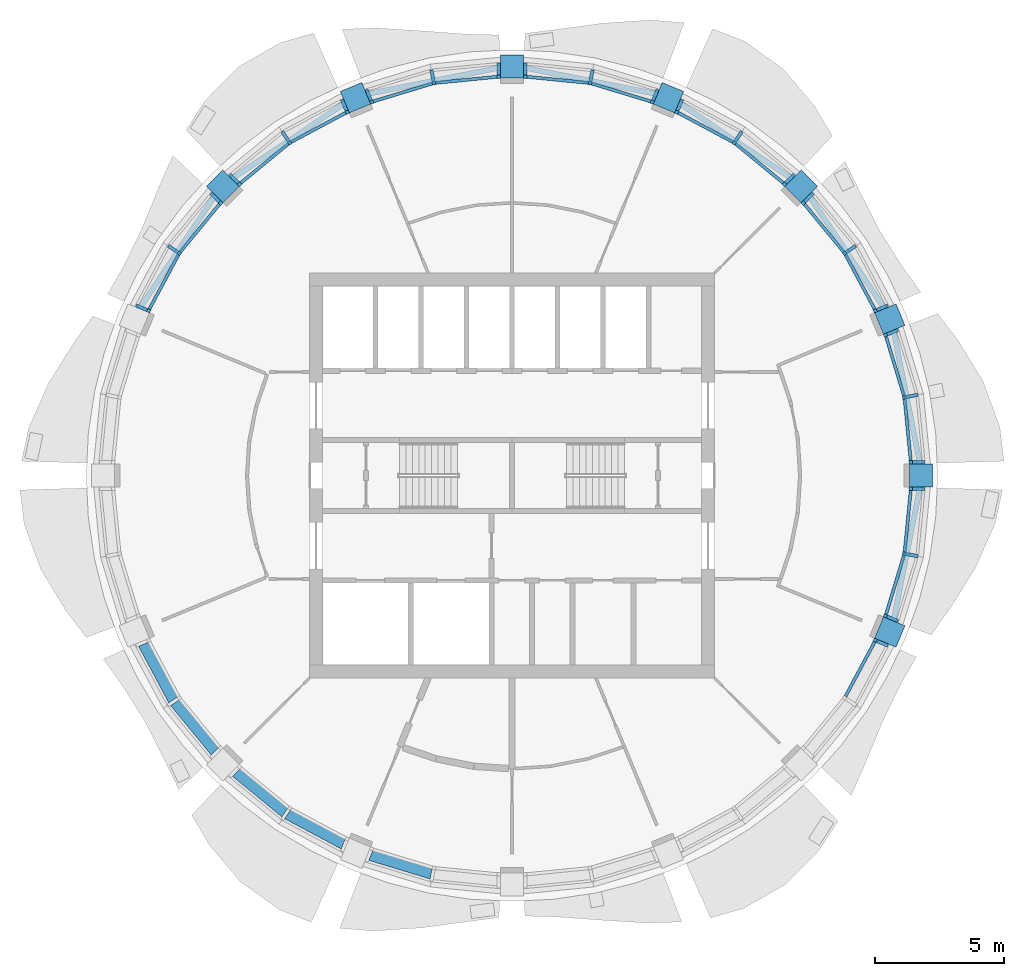
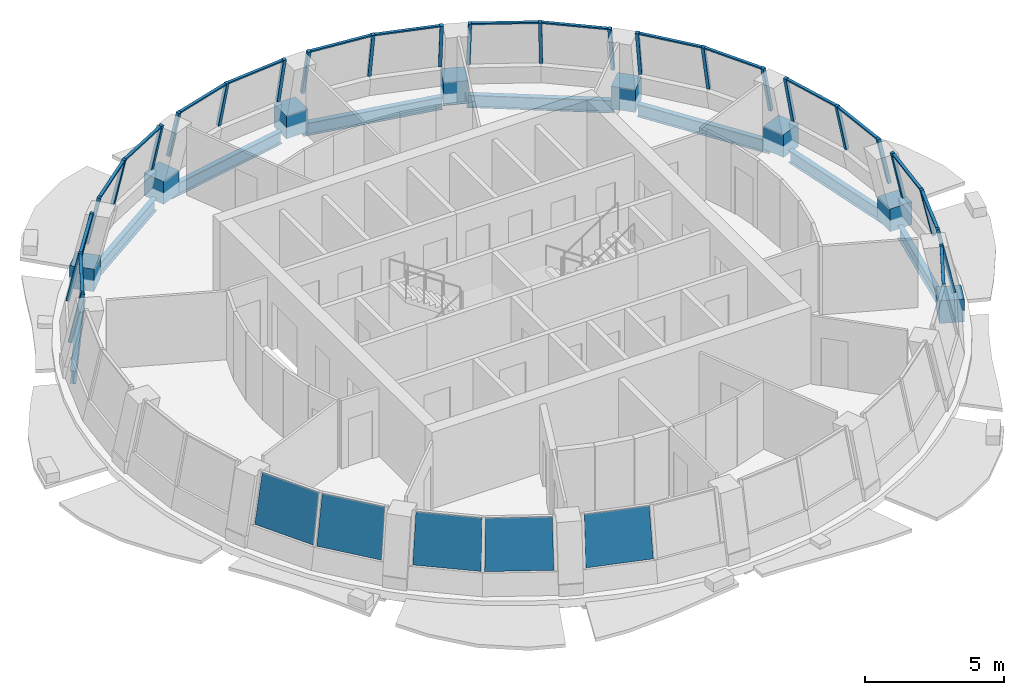
# One storey, part 2 of 11: 50 members, 8 beams, 5 plates, 12 elements without a shape of their own.
"""IFC4 building model written with IfcOpenShell, lengths in metres."""

from ifc_helpers import new_model, si_unit, direction, frame, origin, origin_2d, place, context, subcontext, project, spatial, polyline, rectangle, i_section, outline, extrude, material, layer, layer_set, material_profile, profile_set, type_object, element, aggregate, save


model = new_model("IFC4")

# Units and contexts
model_context = context("Model", 3, precision=1e-05, world=origin(), true_north=direction((0.0, 1.0)))
body_context = subcontext(model_context, "Body", "Model", "MODEL_VIEW")
ifc_project = project(units=[si_unit("LENGTHUNIT", "METRE"), si_unit("AREAUNIT", "SQUARE_METRE"), si_unit("VOLUMEUNIT", "CUBIC_METRE"), si_unit("PLANEANGLEUNIT", "RADIAN"), si_unit("MASSUNIT", "GRAM", prefix="KILO")], contexts=[model_context])

# Site, building, storey
site_placement = place(None, origin())
site = spatial("IfcSite", under=ifc_project, at=site_placement, CompositionType="ELEMENT")
building_placement = place(site_placement, origin())
building = spatial("IfcBuilding", under=site, at=building_placement, Name="Polderwave Tower", CompositionType="ELEMENT")
storey_placement = place(building_placement, frame((0.0, 0.0, 214.449951171875)))
storey = spatial("IfcBuildingStorey", under=building, at=storey_placement, Name="L58", CompositionType="ELEMENT", Elevation=214.449951171875)

# Curtain wall, members
ifc_material_1 = material(Name="Aluminium 6063-T6 and glass", Category="aluminium")
curtain_wall_type = type_object("IfcCurtainWallType", Name="Office ribbon glazing, leaning storey wall", PredefinedType="NOTDEFINED", material=ifc_material_1)
curtain_wall_1_placement = place(storey_placement, origin())
curtain_wall_1 = element("IfcCurtainWall", 1, at=curtain_wall_1_placement, inside=storey, type_object=curtain_wall_type, Name="CW9 L58 00", PredefinedType="NOTDEFINED")
ifc_material_2 = material(Name="Aluminium 6063-T6", Category="aluminium")
ifc_material_profile_1 = material_profile(ifc_material_2, rectangle(XDim=0.1298828125, YDim=0.139892578125, at=origin_2d()), Name="AL 130x140")
ifc_profile_set_1 = profile_set([ifc_material_profile_1], Name="Aluminium 6063-T6")
member_type_1 = type_object("IfcMemberType", Name="Office ribbon glazing, leaning storey mullion 130x140", PredefinedType="MULLION", material=ifc_profile_set_1)
member_1_placement = place(storey_placement, frame((15.9580078125, 0.5146484375, 0.900146484375), z_axis=(-0.213320842981, 0.0, 0.976982199403), x_axis=(0.0, -1.0, 0.0)))
member_1 = element("IfcMember", 2, at=member_1_placement, type_object=member_type_1, Name="CW9 mullion 1", PredefinedType="MULLION", context=body_context, shape_type="SweptSolid", body=[
    extrude(rectangle(XDim=0.1298828125, YDim=0.139892578125, at=origin_2d()), origin(), (0.0, 0.0, 1.0), 2.1494140625),
])
member_2_placement = place(storey_placement, frame((15.701171875, 3.12353515625, 0.900146484375), z_axis=(-0.20944780442, -0.041685110749, 0.976930892523), x_axis=(0.195195508177, -0.980764351711, 0.0)))
member_2 = element("IfcMember", 3, at=member_2_placement, type_object=member_type_1, Name="CW9 mullion 2", PredefinedType="MULLION", context=body_context, shape_type="SweptSolid", body=[
    extrude(rectangle(XDim=0.1298828125, YDim=0.139892578125, at=origin_2d()), origin(), (0.0, 0.0, 1.0), 2.1494140625),
])
member_3_placement = place(storey_placement, frame((14.9404296875, 5.631591796875, 0.900146484375), z_axis=(-0.197075349133, -0.081783430188, 0.97697122645), x_axis=(0.383291989612, -0.923627224967, 0.0)))
member_3 = element("IfcMember", 4, at=member_3_placement, type_object=member_type_1, Name="CW9 mullion 3", PredefinedType="MULLION", context=body_context, shape_type="SweptSolid", body=[
    extrude(rectangle(XDim=0.1298828125, YDim=0.139892578125, at=origin_2d()), origin(), (0.0, 0.0, 1.0), 2.1494140625),
])

curtain_wall_2_placement = place(storey_placement, origin())
curtain_wall_2 = element("IfcCurtainWall", 5, at=curtain_wall_2_placement, inside=storey, type_object=curtain_wall_type, Name="CW9 L58 01", PredefinedType="NOTDEFINED")
member_4_placement = place(storey_placement, frame((14.54638671875, 6.582275390625, 0.900146484375), z_axis=(-0.197299174068, -0.08144128256, 0.976954632215), x_axis=(0.381552612163, -0.924347123191, 0.0)))
member_4 = element("IfcMember", 6, at=member_4_placement, type_object=member_type_1, Name="CW9 mullion 1", PredefinedType="MULLION", context=body_context, shape_type="SweptSolid", body=[
    extrude(rectangle(XDim=0.1298828125, YDim=0.139892578125, at=origin_2d()), origin(), (0.0, 0.0, 1.0), 2.1494140625),
])
member_5_placement = place(storey_placement, frame((13.310546875, 8.893798828125, 0.900146484375), z_axis=(-0.177533294592, -0.118582699651, 0.976944252583), x_axis=(0.555436632186, -0.831558866002, 0.0)))
member_5 = element("IfcMember", 7, at=member_5_placement, type_object=member_type_1, Name="CW9 mullion 2", PredefinedType="MULLION", context=body_context, shape_type="SweptSolid", body=[
    extrude(rectangle(XDim=0.1298828125, YDim=0.139892578125, at=origin_2d()), origin(), (0.0, 0.0, 1.0), 2.1494140625),
])
member_6_placement = place(storey_placement, frame((11.64794921875, 10.919921875, 0.900146484375), z_axis=(-0.151068408866, -0.150841238326, 0.976946905754), x_axis=(0.706574521886, -0.707638640142, 0.0)))
member_6 = element("IfcMember", 8, at=member_6_placement, type_object=member_type_1, Name="CW9 mullion 3", PredefinedType="MULLION", context=body_context, shape_type="SweptSolid", body=[
    extrude(rectangle(XDim=0.1298828125, YDim=0.139892578125, at=origin_2d()), origin(), (0.0, 0.0, 1.0), 2.1494140625),
])

curtain_wall_3_placement = place(storey_placement, origin())
curtain_wall_3 = element("IfcCurtainWall", 9, at=curtain_wall_3_placement, inside=storey, type_object=curtain_wall_type, Name="CW9 L58 02", PredefinedType="NOTDEFINED")
member_7_placement = place(storey_placement, frame((10.919921875, 11.64794921875, 0.900146484375), z_axis=(-0.150841238326, -0.151068408866, 0.976946905754), x_axis=(0.707638640142, -0.706574521886, 0.0)))
member_7 = element("IfcMember", 10, at=member_7_placement, type_object=member_type_1, Name="CW9 mullion 1", PredefinedType="MULLION", context=body_context, shape_type="SweptSolid", body=[
    extrude(rectangle(XDim=0.1298828125, YDim=0.139892578125, at=origin_2d()), origin(), (0.0, 0.0, 1.0), 2.1494140625),
])
member_8_placement = place(storey_placement, frame((8.893798828125, 13.310546875, 0.900146484375), z_axis=(-0.118582699651, -0.177533294592, 0.976944252583), x_axis=(0.831558866002, -0.555436632186, 0.0)))
member_8 = element("IfcMember", 11, at=member_8_placement, type_object=member_type_1, Name="CW9 mullion 2", PredefinedType="MULLION", context=body_context, shape_type="SweptSolid", body=[
    extrude(rectangle(XDim=0.1298828125, YDim=0.139892578125, at=origin_2d()), origin(), (0.0, 0.0, 1.0), 2.1494140625),
])
member_9_placement = place(storey_placement, frame((6.582275390625, 14.54638671875, 0.900146484375), z_axis=(-0.08144128256, -0.197299174068, 0.976954632215), x_axis=(0.924347123191, -0.381552612163, 0.0)))
member_9 = element("IfcMember", 12, at=member_9_placement, type_object=member_type_1, Name="CW9 mullion 3", PredefinedType="MULLION", context=body_context, shape_type="SweptSolid", body=[
    extrude(rectangle(XDim=0.1298828125, YDim=0.139892578125, at=origin_2d()), origin(), (0.0, 0.0, 1.0), 2.1494140625),
])

curtain_wall_4_placement = place(storey_placement, origin())
curtain_wall_4 = element("IfcCurtainWall", 13, at=curtain_wall_4_placement, inside=storey, type_object=curtain_wall_type, Name="CW9 L58 03", PredefinedType="NOTDEFINED")
member_10_placement = place(storey_placement, frame((5.631591796875, 14.9404296875, 0.900146484375), z_axis=(-0.081783430188, -0.197075349133, 0.97697122645), x_axis=(0.923627224967, -0.383291989612, 0.0)))
member_10 = element("IfcMember", 14, at=member_10_placement, type_object=member_type_1, Name="CW9 mullion 1", PredefinedType="MULLION", context=body_context, shape_type="SweptSolid", body=[
    extrude(rectangle(XDim=0.1298828125, YDim=0.139892578125, at=origin_2d()), origin(), (0.0, 0.0, 1.0), 2.1494140625),
])
member_11_placement = place(storey_placement, frame((3.12353515625, 15.701171875, 0.900146484375), z_axis=(-0.041685110749, -0.20944780442, 0.976930892523), x_axis=(0.980764351711, -0.195195508177, 0.0)))
member_11 = element("IfcMember", 15, at=member_11_placement, type_object=member_type_1, Name="CW9 mullion 2", PredefinedType="MULLION", context=body_context, shape_type="SweptSolid", body=[
    extrude(rectangle(XDim=0.1298828125, YDim=0.139892578125, at=origin_2d()), origin(), (0.0, 0.0, 1.0), 2.1494140625),
])
member_12_placement = place(storey_placement, frame((0.5146484375, 15.9580078125, 0.900146484375), z_axis=(0.0, -0.213320842981, 0.976982199403), x_axis=(1.0, 0.0, 0.0)))
member_12 = element("IfcMember", 16, at=member_12_placement, type_object=member_type_1, Name="CW9 mullion 3", PredefinedType="MULLION", context=body_context, shape_type="SweptSolid", body=[
    extrude(rectangle(XDim=0.1298828125, YDim=0.139892578125, at=origin_2d()), origin(), (0.0, 0.0, 1.0), 2.1494140625),
])

curtain_wall_5_placement = place(storey_placement, origin())
curtain_wall_5 = element("IfcCurtainWall", 17, at=curtain_wall_5_placement, inside=storey, type_object=curtain_wall_type, Name="CW9 L58 04", PredefinedType="NOTDEFINED")
member_13_placement = place(storey_placement, frame((-0.5146484375, 15.9580078125, 0.900146484375), z_axis=(0.0, -0.213320842981, 0.976982199403), x_axis=(1.0, 0.0, 0.0)))
member_13 = element("IfcMember", 18, at=member_13_placement, type_object=member_type_1, Name="CW9 mullion 1", PredefinedType="MULLION", context=body_context, shape_type="SweptSolid", body=[
    extrude(rectangle(XDim=0.1298828125, YDim=0.139892578125, at=origin_2d()), origin(), (0.0, 0.0, 1.0), 2.1494140625),
])
member_14_placement = place(storey_placement, frame((-3.12353515625, 15.701171875, 0.900146484375), z_axis=(0.041685110749, -0.20944780442, 0.976930892523), x_axis=(0.980764351711, 0.195195508177, 0.0)))
member_14 = element("IfcMember", 19, at=member_14_placement, type_object=member_type_1, Name="CW9 mullion 2", PredefinedType="MULLION", context=body_context, shape_type="SweptSolid", body=[
    extrude(rectangle(XDim=0.1298828125, YDim=0.139892578125, at=origin_2d()), origin(), (0.0, 0.0, 1.0), 2.1494140625),
])
member_15_placement = place(storey_placement, frame((-5.631591796875, 14.9404296875, 0.900146484375), z_axis=(0.081783430188, -0.197075349133, 0.97697122645), x_axis=(0.923627224967, 0.383291989612, 0.0)))
member_15 = element("IfcMember", 20, at=member_15_placement, type_object=member_type_1, Name="CW9 mullion 3", PredefinedType="MULLION", context=body_context, shape_type="SweptSolid", body=[
    extrude(rectangle(XDim=0.1298828125, YDim=0.139892578125, at=origin_2d()), origin(), (0.0, 0.0, 1.0), 2.1494140625),
])

curtain_wall_6_placement = place(storey_placement, origin())
curtain_wall_6 = element("IfcCurtainWall", 21, at=curtain_wall_6_placement, inside=storey, type_object=curtain_wall_type, Name="CW9 L58 05", PredefinedType="NOTDEFINED")
member_16_placement = place(storey_placement, frame((-6.582275390625, 14.54638671875, 0.900146484375), z_axis=(0.08144128256, -0.197299174068, 0.976954632215), x_axis=(0.924347123191, 0.381552612163, 0.0)))
member_16 = element("IfcMember", 22, at=member_16_placement, type_object=member_type_1, Name="CW9 mullion 1", PredefinedType="MULLION", context=body_context, shape_type="SweptSolid", body=[
    extrude(rectangle(XDim=0.1298828125, YDim=0.139892578125, at=origin_2d()), origin(), (0.0, 0.0, 1.0), 2.1494140625),
])
member_17_placement = place(storey_placement, frame((-8.893798828125, 13.310546875, 0.900146484375), z_axis=(0.118582699651, -0.177533294592, 0.976944252583), x_axis=(0.831558866002, 0.555436632186, 0.0)))
member_17 = element("IfcMember", 23, at=member_17_placement, type_object=member_type_1, Name="CW9 mullion 2", PredefinedType="MULLION", context=body_context, shape_type="SweptSolid", body=[
    extrude(rectangle(XDim=0.1298828125, YDim=0.139892578125, at=origin_2d()), origin(), (0.0, 0.0, 1.0), 2.1494140625),
])
member_18_placement = place(storey_placement, frame((-10.919921875, 11.64794921875, 0.900146484375), z_axis=(0.150841238326, -0.151068408866, 0.976946905754), x_axis=(0.707638640142, 0.706574521886, 0.0)))
member_18 = element("IfcMember", 24, at=member_18_placement, type_object=member_type_1, Name="CW9 mullion 3", PredefinedType="MULLION", context=body_context, shape_type="SweptSolid", body=[
    extrude(rectangle(XDim=0.1298828125, YDim=0.139892578125, at=origin_2d()), origin(), (0.0, 0.0, 1.0), 2.1494140625),
])

curtain_wall_7_placement = place(storey_placement, origin())
curtain_wall_7 = element("IfcCurtainWall", 25, at=curtain_wall_7_placement, inside=storey, type_object=curtain_wall_type, Name="CW9 L58 06", PredefinedType="NOTDEFINED")
member_19_placement = place(storey_placement, frame((-11.64794921875, 10.919921875, 0.900146484375), z_axis=(0.151068408866, -0.150841238326, 0.976946905754), x_axis=(0.706574521886, 0.707638640142, 0.0)))
member_19 = element("IfcMember", 26, at=member_19_placement, type_object=member_type_1, Name="CW9 mullion 1", PredefinedType="MULLION", context=body_context, shape_type="SweptSolid", body=[
    extrude(rectangle(XDim=0.1298828125, YDim=0.139892578125, at=origin_2d()), origin(), (0.0, 0.0, 1.0), 2.1494140625),
])
member_20_placement = place(storey_placement, frame((-13.310546875, 8.893798828125, 0.900146484375), z_axis=(0.177533294592, -0.118582699651, 0.976944252583), x_axis=(0.555436632186, 0.831558866002, 0.0)))
member_20 = element("IfcMember", 27, at=member_20_placement, type_object=member_type_1, Name="CW9 mullion 2", PredefinedType="MULLION", context=body_context, shape_type="SweptSolid", body=[
    extrude(rectangle(XDim=0.1298828125, YDim=0.139892578125, at=origin_2d()), origin(), (0.0, 0.0, 1.0), 2.1494140625),
])
member_21_placement = place(storey_placement, frame((-14.54638671875, 6.582275390625, 0.900146484375), z_axis=(0.197299174068, -0.08144128256, 0.976954632215), x_axis=(0.381552612163, 0.924347123191, 0.0)))
member_21 = element("IfcMember", 28, at=member_21_placement, type_object=member_type_1, Name="CW9 mullion 3", PredefinedType="MULLION", context=body_context, shape_type="SweptSolid", body=[
    extrude(rectangle(XDim=0.1298828125, YDim=0.139892578125, at=origin_2d()), origin(), (0.0, 0.0, 1.0), 2.1494140625),
])

# Curtain wall, member
curtain_wall_8_placement = place(storey_placement, origin())
curtain_wall_8 = element("IfcCurtainWall", 29, at=curtain_wall_8_placement, inside=storey, type_object=curtain_wall_type, Name="CW9 L58 14", PredefinedType="NOTDEFINED")
member_22_placement = place(storey_placement, frame((14.54638671875, -6.582275390625, 0.900146484375), z_axis=(-0.197299174068, 0.08144128256, 0.976954632215), x_axis=(-0.381552612163, -0.924347123191, 0.0)))
member_22 = element("IfcMember", 30, at=member_22_placement, type_object=member_type_1, Name="CW9 mullion 3", PredefinedType="MULLION", context=body_context, shape_type="SweptSolid", body=[
    extrude(rectangle(XDim=0.1298828125, YDim=0.139892578125, at=origin_2d()), origin(), (0.0, 0.0, 1.0), 2.1494140625),
])

# Curtain wall, members
curtain_wall_9_placement = place(storey_placement, origin())
curtain_wall_9 = element("IfcCurtainWall", 31, at=curtain_wall_9_placement, inside=storey, type_object=curtain_wall_type, Name="CW9 L58 15", PredefinedType="NOTDEFINED")
member_23_placement = place(storey_placement, frame((14.9404296875, -5.631591796875, 0.900146484375), z_axis=(-0.197075349133, 0.081783430188, 0.97697122645), x_axis=(-0.383291989612, -0.923627224967, 0.0)))
member_23 = element("IfcMember", 32, at=member_23_placement, type_object=member_type_1, Name="CW9 mullion 1", PredefinedType="MULLION", context=body_context, shape_type="SweptSolid", body=[
    extrude(rectangle(XDim=0.1298828125, YDim=0.139892578125, at=origin_2d()), origin(), (0.0, 0.0, 1.0), 2.1494140625),
])
member_24_placement = place(storey_placement, frame((15.701171875, -3.12353515625, 0.900146484375), z_axis=(-0.20944780442, 0.041685110749, 0.976930892523), x_axis=(-0.195195508177, -0.980764351711, 0.0)))
member_24 = element("IfcMember", 33, at=member_24_placement, type_object=member_type_1, Name="CW9 mullion 2", PredefinedType="MULLION", context=body_context, shape_type="SweptSolid", body=[
    extrude(rectangle(XDim=0.1298828125, YDim=0.139892578125, at=origin_2d()), origin(), (0.0, 0.0, 1.0), 2.1494140625),
])
member_25_placement = place(storey_placement, frame((15.9580078125, -0.5146484375, 0.900146484375), z_axis=(-0.213320842981, 0.0, 0.976982199403), x_axis=(0.0, -1.0, 0.0)))
member_25 = element("IfcMember", 34, at=member_25_placement, type_object=member_type_1, Name="CW9 mullion 3", PredefinedType="MULLION", context=body_context, shape_type="SweptSolid", body=[
    extrude(rectangle(XDim=0.1298828125, YDim=0.139892578125, at=origin_2d()), origin(), (0.0, 0.0, 1.0), 2.1494140625),
])

# Member
ifc_material_profile_2 = material_profile(ifc_material_2, rectangle(XDim=0.1201171875, YDim=0.06005859375, at=origin_2d()), Name="AL 60x120")
ifc_profile_set_2 = profile_set([ifc_material_profile_2], Name="Aluminium 6063-T6")
member_type_2 = type_object("IfcMemberType", Name="Office ribbon glazing, leaning storey transom 60x120", PredefinedType="USERDEFINED", material=ifc_profile_set_2)
member_26_placement = place(storey_placement, frame((15.499755859375, 0.579345703125, 2.969970703125), z_axis=(-0.098145606459, 0.995172065491, 0.0), x_axis=(-0.995172065491, -0.098145606459, 0.0)))
member_26 = element("IfcMember", 35, at=member_26_placement, type_object=member_type_2, Name="CW9 transom 1", ObjectType="TRANSOM", PredefinedType="USERDEFINED", context=body_context, shape_type="SweptSolid", body=[
    extrude(rectangle(XDim=0.1201171875, YDim=0.06005859375, at=origin_2d()), origin(), (0.0, 0.0, 1.0), 2.403076171875),
])

member_27_placement = place(storey_placement, frame((15.238525390625, 3.097412109375, 2.969970703125), z_axis=(-0.290097669998, 0.95699704381, 0.0), x_axis=(-0.95699704381, -0.290097669998, 0.0)))
member_27 = element("IfcMember", 36, at=member_27_placement, type_object=member_type_2, Name="CW9 transom 2", ObjectType="TRANSOM", PredefinedType="USERDEFINED", context=body_context, shape_type="SweptSolid", body=[
    extrude(rectangle(XDim=0.1201171875, YDim=0.06005859375, at=origin_2d()), origin(), (0.0, 0.0, 1.0), 2.40185546875),
])

aggregate(curtain_wall_1, [member_1, member_2, member_3, member_26, member_27])

member_28_placement = place(storey_placement, frame((14.097900390625, 6.467041015625, 2.969970703125), z_axis=(-0.471600789368, 0.881812165638, 0.0), x_axis=(-0.881812165638, -0.471600789368, 0.0)))
member_28 = element("IfcMember", 37, at=member_28_placement, type_object=member_type_2, Name="CW9 transom 1", ObjectType="TRANSOM", PredefinedType="USERDEFINED", context=body_context, shape_type="SweptSolid", body=[
    extrude(rectangle(XDim=0.1201171875, YDim=0.06005859375, at=origin_2d()), origin(), (0.0, 0.0, 1.0), 2.402099609375),
])

member_29_placement = place(storey_placement, frame((12.893310546875, 8.69287109375, 2.969970703125), z_axis=(-0.634399139982, 0.77300564758, 0.0), x_axis=(-0.77300564758, -0.634399139982, 0.0)))
member_29 = element("IfcMember", 38, at=member_29_placement, type_object=member_type_2, Name="CW9 transom 2", ObjectType="TRANSOM", PredefinedType="USERDEFINED", context=body_context, shape_type="SweptSolid", body=[
    extrude(rectangle(XDim=0.1201171875, YDim=0.06005859375, at=origin_2d()), origin(), (0.0, 0.0, 1.0), 2.402587890625),
])

aggregate(curtain_wall_2, [member_4, member_5, member_6, member_28, member_29])

member_30_placement = place(storey_placement, frame((10.550048828125, 11.369140625, 2.969970703125), z_axis=(-0.77300564758, 0.634399139982, 0.0), x_axis=(-0.634399139982, -0.77300564758, 0.0)))
member_30 = element("IfcMember", 39, at=member_30_placement, type_object=member_type_2, Name="CW9 transom 1", ObjectType="TRANSOM", PredefinedType="USERDEFINED", context=body_context, shape_type="SweptSolid", body=[
    extrude(rectangle(XDim=0.1201171875, YDim=0.06005859375, at=origin_2d()), origin(), (0.0, 0.0, 1.0), 2.402587890625),
])

member_31_placement = place(storey_placement, frame((8.585205078125, 12.965087890625, 2.969970703125), z_axis=(-0.881812165638, 0.471600789368, 0.0), x_axis=(-0.471600789368, -0.881812165638, 0.0)))
member_31 = element("IfcMember", 40, at=member_31_placement, type_object=member_type_2, Name="CW9 transom 2", ObjectType="TRANSOM", PredefinedType="USERDEFINED", context=body_context, shape_type="SweptSolid", body=[
    extrude(rectangle(XDim=0.1201171875, YDim=0.06005859375, at=origin_2d()), origin(), (0.0, 0.0, 1.0), 2.402099609375),
])

aggregate(curtain_wall_3, [member_7, member_8, member_9, member_30, member_31])

member_32_placement = place(storey_placement, frame((5.39599609375, 14.541748046875, 2.969970703125), z_axis=(-0.95699704381, 0.290097669998, 0.0), x_axis=(-0.290097669998, -0.95699704381, 0.0)))
member_32 = element("IfcMember", 41, at=member_32_placement, type_object=member_type_2, Name="CW9 transom 1", ObjectType="TRANSOM", PredefinedType="USERDEFINED", context=body_context, shape_type="SweptSolid", body=[
    extrude(rectangle(XDim=0.1201171875, YDim=0.06005859375, at=origin_2d()), origin(), (0.0, 0.0, 1.0), 2.40185546875),
])

member_33_placement = place(storey_placement, frame((2.970703125, 15.263916015625, 2.969970703125), z_axis=(-0.995172065491, 0.098145606459, 0.0), x_axis=(-0.098145606459, -0.995172065491, 0.0)))
member_33 = element("IfcMember", 42, at=member_33_placement, type_object=member_type_2, Name="CW9 transom 2", ObjectType="TRANSOM", PredefinedType="USERDEFINED", context=body_context, shape_type="SweptSolid", body=[
    extrude(rectangle(XDim=0.1201171875, YDim=0.06005859375, at=origin_2d()), origin(), (0.0, 0.0, 1.0), 2.403076171875),
])

aggregate(curtain_wall_4, [member_10, member_11, member_12, member_32, member_33])

member_34_placement = place(storey_placement, frame((-0.579345703125, 15.499755859375, 2.969970703125), z_axis=(-0.995172065491, -0.098145606459, 0.0), x_axis=(0.098145606459, -0.995172065491, 0.0)))
member_34 = element("IfcMember", 43, at=member_34_placement, type_object=member_type_2, Name="CW9 transom 1", ObjectType="TRANSOM", PredefinedType="USERDEFINED", context=body_context, shape_type="SweptSolid", body=[
    extrude(rectangle(XDim=0.1201171875, YDim=0.06005859375, at=origin_2d()), origin(), (0.0, 0.0, 1.0), 2.403076171875),
])

member_35_placement = place(storey_placement, frame((-3.097412109375, 15.238525390625, 2.969970703125), z_axis=(-0.95699704381, -0.290097669998, 0.0), x_axis=(0.290097669998, -0.95699704381, 0.0)))
member_35 = element("IfcMember", 44, at=member_35_placement, type_object=member_type_2, Name="CW9 transom 2", ObjectType="TRANSOM", PredefinedType="USERDEFINED", context=body_context, shape_type="SweptSolid", body=[
    extrude(rectangle(XDim=0.1201171875, YDim=0.06005859375, at=origin_2d()), origin(), (0.0, 0.0, 1.0), 2.40185546875),
])

aggregate(curtain_wall_5, [member_13, member_14, member_15, member_34, member_35])

member_36_placement = place(storey_placement, frame((-6.467041015625, 14.097900390625, 2.969970703125), z_axis=(-0.881812165638, -0.471600789368, 0.0), x_axis=(0.471600789368, -0.881812165638, 0.0)))
member_36 = element("IfcMember", 45, at=member_36_placement, type_object=member_type_2, Name="CW9 transom 1", ObjectType="TRANSOM", PredefinedType="USERDEFINED", context=body_context, shape_type="SweptSolid", body=[
    extrude(rectangle(XDim=0.1201171875, YDim=0.06005859375, at=origin_2d()), origin(), (0.0, 0.0, 1.0), 2.402099609375),
])

member_37_placement = place(storey_placement, frame((-8.69287109375, 12.893310546875, 2.969970703125), z_axis=(-0.77300564758, -0.634399139982, 0.0), x_axis=(0.634399139982, -0.77300564758, 0.0)))
member_37 = element("IfcMember", 46, at=member_37_placement, type_object=member_type_2, Name="CW9 transom 2", ObjectType="TRANSOM", PredefinedType="USERDEFINED", context=body_context, shape_type="SweptSolid", body=[
    extrude(rectangle(XDim=0.1201171875, YDim=0.06005859375, at=origin_2d()), origin(), (0.0, 0.0, 1.0), 2.402587890625),
])

aggregate(curtain_wall_6, [member_16, member_17, member_18, member_36, member_37])

member_38_placement = place(storey_placement, frame((-11.369140625, 10.550048828125, 2.969970703125), z_axis=(-0.634399139982, -0.77300564758, 0.0), x_axis=(0.77300564758, -0.634399139982, 0.0)))
member_38 = element("IfcMember", 47, at=member_38_placement, type_object=member_type_2, Name="CW9 transom 1", ObjectType="TRANSOM", PredefinedType="USERDEFINED", context=body_context, shape_type="SweptSolid", body=[
    extrude(rectangle(XDim=0.1201171875, YDim=0.06005859375, at=origin_2d()), origin(), (0.0, 0.0, 1.0), 2.402587890625),
])

member_39_placement = place(storey_placement, frame((-12.965087890625, 8.585205078125, 2.969970703125), z_axis=(-0.471600789368, -0.881812165638, 0.0), x_axis=(0.881812165638, -0.471600789368, 0.0)))
member_39 = element("IfcMember", 48, at=member_39_placement, type_object=member_type_2, Name="CW9 transom 2", ObjectType="TRANSOM", PredefinedType="USERDEFINED", context=body_context, shape_type="SweptSolid", body=[
    extrude(rectangle(XDim=0.1201171875, YDim=0.06005859375, at=origin_2d()), origin(), (0.0, 0.0, 1.0), 2.402099609375),
])

aggregate(curtain_wall_7, [member_19, member_20, member_21, member_38, member_39])

member_40_placement = place(storey_placement, frame((12.965087890625, -8.585205078125, 2.969970703125), z_axis=(0.471600789368, 0.881812165638, 0.0), x_axis=(-0.881812165638, 0.471600789368, 0.0)))
member_40 = element("IfcMember", 49, at=member_40_placement, type_object=member_type_2, Name="CW9 transom 2", ObjectType="TRANSOM", PredefinedType="USERDEFINED", context=body_context, shape_type="SweptSolid", body=[
    extrude(rectangle(XDim=0.1201171875, YDim=0.06005859375, at=origin_2d()), origin(), (0.0, 0.0, 1.0), 2.402099609375),
])

aggregate(curtain_wall_8, [member_22, member_40])

member_41_placement = place(storey_placement, frame((14.541748046875, -5.39599609375, 2.969970703125), z_axis=(0.290097669998, 0.95699704381, 0.0), x_axis=(-0.95699704381, 0.290097669998, 0.0)))
member_41 = element("IfcMember", 50, at=member_41_placement, type_object=member_type_2, Name="CW9 transom 1", ObjectType="TRANSOM", PredefinedType="USERDEFINED", context=body_context, shape_type="SweptSolid", body=[
    extrude(rectangle(XDim=0.1201171875, YDim=0.06005859375, at=origin_2d()), origin(), (0.0, 0.0, 1.0), 2.40185546875),
])

member_42_placement = place(storey_placement, frame((15.263916015625, -2.970703125, 2.969970703125), z_axis=(0.098145606459, 0.995172065491, 0.0), x_axis=(-0.995172065491, 0.098145606459, 0.0)))
member_42 = element("IfcMember", 51, at=member_42_placement, type_object=member_type_2, Name="CW9 transom 2", ObjectType="TRANSOM", PredefinedType="USERDEFINED", context=body_context, shape_type="SweptSolid", body=[
    extrude(rectangle(XDim=0.1201171875, YDim=0.06005859375, at=origin_2d()), origin(), (0.0, 0.0, 1.0), 2.403076171875),
])

aggregate(curtain_wall_9, [member_23, member_24, member_25, member_41, member_42])

# Members
ifc_material_3 = material(Name="Concrete C60/75", Category="concrete")
ifc_material_profile_3 = material_profile(ifc_material_3, rectangle(XDim=0.89990234375, YDim=0.89990234375, at=origin_2d()), Name="RC 900x900")
ifc_profile_set_3 = profile_set([ifc_material_profile_3], Name="Concrete C60/75")
member_type_3 = type_object("IfcMemberType", Name="RC NODE 900x900 C60/75", PredefinedType="POST", material=ifc_profile_set_3)
for number, where, z_axis, x_axis, name in (
    (52, (15.89404296875, 0.0, -0.5), (0.0, 0.0, 1.0), (1.0, 0.0, 0.0), "Ring column node 01"),
    (53, (14.68408203125, 6.082275390625, -0.5), (0.0, 0.0, 1.0), (0.923879532511, 0.382683432365, 0.0), "Ring column node 02"),
    (54, (11.23876953125, 11.23876953125, -0.5), (0.0, 0.0, 1.0), (0.707106781187, 0.707106781187, 0.0), "Ring column node 03"),
    (55, (6.082275390625, 14.68408203125, -0.5), (0.0, 0.0, 1.0), (0.382683432365, 0.923879532511, 0.0), "Ring column node 04"),
    (56, (0.0, 15.89404296875, -0.5), (0.0, 0.0, 1.0), (0.0, 1.0, 0.0), "Ring column node 05"),
    (57, (-6.082275390625, 14.68408203125, -0.5), (0.0, 0.0, 1.0), (-0.382683432365, 0.923879532511, 0.0), "Ring column node 06"),
    (58, (-11.23876953125, 11.23876953125, -0.5), (0.0, 0.0, 1.0), (-0.707106781187, 0.707106781187, 0.0), "Ring column node 07"),
    (59, (14.68408203125, -6.082275390625, -0.5), (0.0, 0.0, 1.0), (0.923879532511, -0.382683432365, 0.0), "Ring column node 16"),
):
    element("IfcMember", number, at=place(storey_placement, frame(where, z_axis=z_axis, x_axis=x_axis)), inside=storey, type_object=member_type_3, Name=name, PredefinedType="POST", context=body_context, shape_type="SweptSolid", body=[
        extrude(rectangle(XDim=0.89990234375, YDim=0.89990234375, at=origin_2d()), origin(), (0.0, 0.0, 1.0), 1.0),
    ])

# Beams
ifc_material_4 = material(Name="Steel S355", Category="steel")
ifc_material_profile_4 = material_profile(ifc_material_4, i_section(OverallWidth=0.2099609375, OverallDepth=0.550048828125, WebThickness=0.010986328125, FlangeThickness=0.01708984375, at=origin_2d()), Name="IPE 550")
ifc_profile_set_4 = profile_set([ifc_material_profile_4], Name="Steel S355")
beam_type = type_object("IfcBeamType", Name="RING BEAM IPE 550", PredefinedType="BEAM", material=ifc_profile_set_4)
for number, where, z_axis, x_axis, name in (
    (60, (15.860595703125, 0.449951171875, -0.625), (-0.195098417144, 0.980783670147, 0.0), (-0.980783670147, -0.195098417144, 0.0), "ST-RB-L58-00"),
    (61, (14.48095703125, 6.4853515625, -0.625), (-0.555570615162, 0.831469356963, 0.0), (-0.831469356963, -0.555570615162, 0.0), "ST-RB-L58-01"),
    (62, (10.89697265625, 11.533203125, -0.625), (-0.831469356963, 0.555570615162, 0.0), (-0.555570615162, -0.831469356963, 0.0), "ST-RB-L58-02"),
    (63, (5.65380859375, 14.825439453125, -0.625), (-0.980783670147, 0.195098417144, 0.0), (-0.195098417144, -0.980783670147, 0.0), "ST-RB-L58-03"),
    (64, (-0.449951171875, 15.860595703125, -0.625), (-0.980783670147, -0.195098417144, 0.0), (0.195098417144, -0.980783670147, 0.0), "ST-RB-L58-04"),
    (65, (-6.4853515625, 14.48095703125, -0.625), (-0.831469356963, -0.555570615162, 0.0), (0.555570615162, -0.831469356963, 0.0), "ST-RB-L58-05"),
    (66, (-11.533203125, 10.89697265625, -0.625), (-0.555570615162, -0.831469356963, 0.0), (0.831469356963, -0.555570615162, 0.0), "ST-RB-L58-06"),
    (67, (14.825439453125, -5.65380859375, -0.625), (0.195098417144, 0.980783670147, 0.0), (-0.980783670147, 0.195098417144, 0.0), "ST-RB-L58-15"),
):
    element("IfcBeam", number, at=place(storey_placement, frame(where, z_axis=z_axis, x_axis=x_axis)), inside=storey, type_object=beam_type, Name=name, PredefinedType="BEAM", context=body_context, shape_type="SweptSolid", body=[
        extrude(i_section(OverallWidth=0.2099609375, OverallDepth=0.550048828125, WebThickness=0.010986328125, FlangeThickness=0.01708984375, at=origin_2d()), origin(), (0.0, 0.0, 1.0), 5.305908203125),
    ])

# Curtain wall, plates
curtain_wall_10_placement = place(storey_placement, origin())
curtain_wall_10 = element("IfcCurtainWall", 68, at=curtain_wall_10_placement, inside=storey, type_object=curtain_wall_type, Name="CW9 L58 09", PredefinedType="NOTDEFINED")
ifc_material_5 = material(Name="Glass, low-e laminated double glazing", Category="glass")
ifc_layer = layer(ifc_material_5, 0.031982421875)
ifc_layer_set = layer_set([ifc_layer], Name="Office ribbon glazing, leaning storey glass panel 32 mm")
plate_type = type_object("IfcPlateType", Name="Office ribbon glazing, leaning storey glass panel 32 mm", PredefinedType="CURTAIN_PANEL", material=ifc_layer_set)
plate_1_placement = place(storey_placement, frame((-14.515869140625, -6.6396484375, 0.900146484375), z_axis=(-0.861715716123, -0.460735218581, 0.212530193021), x_axis=(0.471507107609, -0.881862261056, 3.91872e-07)))
plate_1 = element("IfcPlate", 69, at=plate_1_placement, type_object=plate_type, Name="CW9 panel 1", PredefinedType="CURTAIN_PANEL", context=body_context, shape_type="SweptSolid", body=[
    extrude(outline(polyline([(0.0, 0.0), (2.4910686815636995, 0.0), (2.447830424751634, 2.087483568302252), (0.04425031146905788, 2.0874855312210934), (0.0, 0.0)])), origin(), (0.0, 0.0, -1.0), 0.031982421875),
])
plate_2_placement = place(storey_placement, frame((-13.269287109375, -8.944091796875, 0.900146484375), z_axis=(-0.755377380032, -0.619879308249, 0.212496251592), x_axis=(0.634366407972, -0.773032509291, -3.867736e-06)))
plate_2 = element("IfcPlate", 70, at=plate_2_placement, type_object=plate_type, Name="CW9 panel 2", PredefinedType="CURTAIN_PANEL", context=body_context, shape_type="SweptSolid", body=[
    extrude(outline(polyline([(0.0, 0.0), (2.490851267865727, -1.1102230246251565e-16), (2.4474814307514055, 2.087478468297899), (0.04372092967429351, 2.0874590947769227), (0.0, 0.0)])), origin(), (0.0, 0.0, -1.0), 0.031982421875),
])
aggregate(curtain_wall_10, [plate_1, plate_2])

curtain_wall_11_placement = place(storey_placement, origin())
curtain_wall_11 = element("IfcCurtainWall", 71, at=curtain_wall_11_placement, inside=storey, type_object=curtain_wall_type, Name="CW9 L58 10", PredefinedType="NOTDEFINED")
plate_3_placement = place(storey_placement, frame((-10.86962890625, -11.689208984375, 0.900146484375), z_axis=(-0.619879308249, -0.755377380032, 0.212496251592), x_axis=(0.773032509291, -0.634366407972, 3.867736e-06)))
plate_3 = element("IfcPlate", 72, at=plate_3_placement, type_object=plate_type, Name="CW9 panel 1", PredefinedType="CURTAIN_PANEL", context=body_context, shape_type="SweptSolid", body=[
    extrude(outline(polyline([(0.0, 0.0), (2.490851267865727, 1.1102230246251565e-16), (2.447130338191433, 2.087459094776923), (0.043369837114321484, 2.087478468297899), (0.0, 0.0)])), origin(), (0.0, 0.0, -1.0), 0.031982421875),
])
plate_4_placement = place(storey_placement, frame((-8.83642578125, -13.34130859375, 0.900146484375), z_axis=(-0.460702361178, -0.861745423786, 0.212480961476), x_axis=(0.881882064294, -0.47147006754, -9.524871e-06)))
plate_4 = element("IfcPlate", 73, at=plate_4_placement, type_object=plate_type, Name="CW9 panel 2", PredefinedType="CURTAIN_PANEL", context=body_context, shape_type="SweptSolid", body=[
    extrude(outline(polyline([(0.0, 0.0), (2.4910686790650898, 2.7755575615628914e-17), (2.4468183725488672, 2.0874855283444056), (0.0433533662861806, 2.087437819112489), (0.0, 0.0)])), origin(), (0.0, 0.0, -1.0), 0.031982421875),
])
aggregate(curtain_wall_11, [plate_3, plate_4])

# Curtain wall, plate
curtain_wall_12_placement = place(storey_placement, origin())
curtain_wall_12 = element("IfcCurtainWall", 74, at=curtain_wall_12_placement, inside=storey, type_object=curtain_wall_type, Name="CW9 L58 11", PredefinedType="NOTDEFINED")
plate_5_placement = place(storey_placement, frame((-5.5693359375, -14.959228515625, 0.900146484375), z_axis=(-0.283628007863, -0.935136432809, 0.212308749678), x_axis=(0.956952583207, -0.290244299663, 2.523514e-06)))
plate_5 = element("IfcPlate", 75, at=plate_5_placement, type_object=plate_type, Name="CW9 panel 1", PredefinedType="CURTAIN_PANEL", context=body_context, shape_type="SweptSolid", body=[
    extrude(outline(polyline([(0.0, 0.0), (2.49075718778154, 0.0), (2.4471656726456428, 2.0876252362478747), (0.04391340202266679, 2.08738803823287), (0.0, 0.0)])), origin(), (0.0, 0.0, -1.0), 0.031982421875),
])
aggregate(curtain_wall_12, [plate_5])

save(model, "model.ifc")
